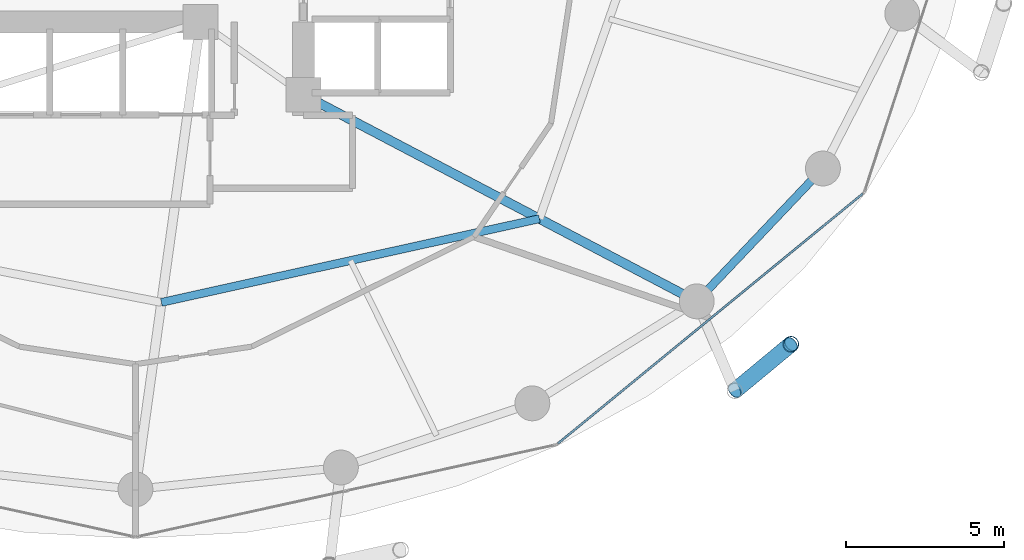
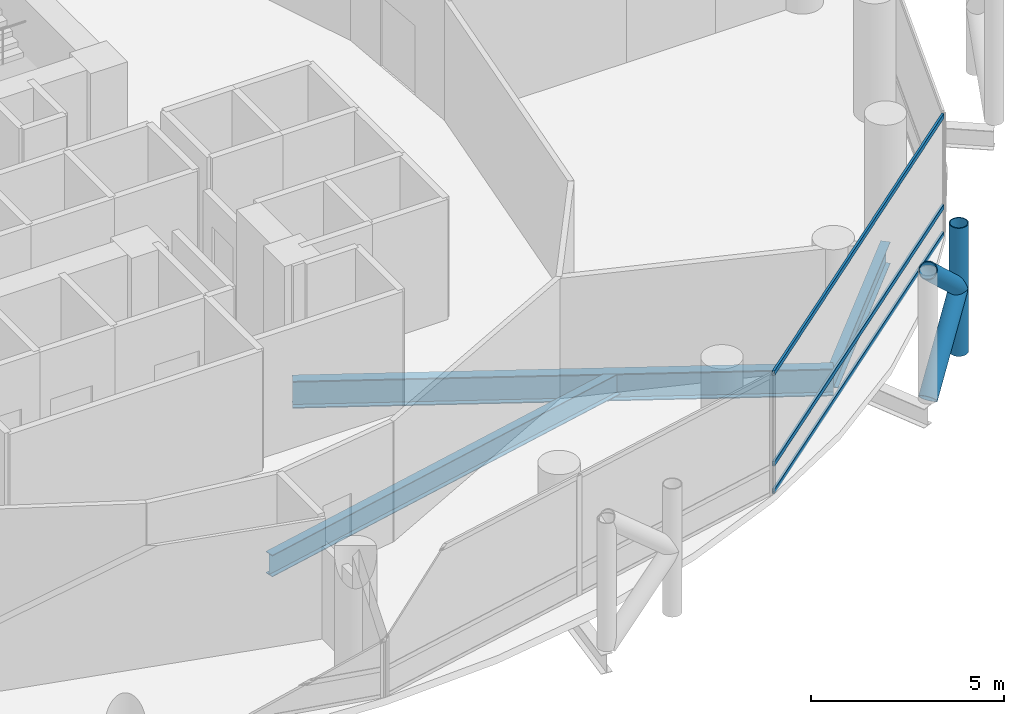
# One storey, part 9 of 24: 6 members, 3 beams, 1 element without a shape of its own.
"""IFC4 building model written with IfcOpenShell, lengths in metres."""

from ifc_helpers import new_model, si_unit, direction, frame, origin, origin_2d, place, context, subcontext, project, spatial, hollow_rectangle, hollow_circle, i_section, extrude, material, layer, layer_set, material_profile, profile_set, type_object, element, aggregate, save


model = new_model("IFC4")

# Units and contexts
model_context = context("Model", 3, precision=1e-05, world=origin(), true_north=direction((0.0, 1.0)))
body_context = subcontext(model_context, "Body", "Model", "MODEL_VIEW")
ifc_project = project(units=[si_unit("LENGTHUNIT", "METRE"), si_unit("AREAUNIT", "SQUARE_METRE"), si_unit("VOLUMEUNIT", "CUBIC_METRE"), si_unit("PLANEANGLEUNIT", "RADIAN"), si_unit("MASSUNIT", "GRAM", prefix="KILO")], contexts=[model_context])

# Site, building, storey
site_placement = place(None, origin())
site = spatial("IfcSite", under=ifc_project, at=site_placement, CompositionType="ELEMENT")
building_placement = place(site_placement, origin())
building = spatial("IfcBuilding", under=site, at=building_placement, Name="Nuhasar Tower", CompositionType="ELEMENT")
storey_placement = place(building_placement, frame((0.0, 0.0, 73.64990234375)))
storey = spatial("IfcBuildingStorey", under=building, at=storey_placement, Name="L17", CompositionType="ELEMENT", Elevation=73.64990234375)

# Beams
ifc_material_1 = material(Name="Steel S355", Category="steel")
ifc_material_profile_1 = material_profile(ifc_material_1, i_section(OverallWidth=0.25390625, OverallDepth=0.68408203125, WebThickness=0.012451171875, FlangeThickness=0.018798828125, at=origin_2d()), Name="W27X94")
ifc_profile_set_1 = profile_set([ifc_material_profile_1], Name="Steel S355")
beam_type_1 = type_object("IfcBeamType", Name="BM-INRING-W27X94", PredefinedType="BEAM", material=ifc_profile_set_1)
beam_1_placement = place(storey_placement, frame((39.820068359375, 12.449951171875, -0.591796875), z_axis=(0.976386023343, 0.216033176665, 0.0), x_axis=(-0.216033176665, 0.976386023343, 0.0)))
element("IfcBeam", 1, at=beam_1_placement, inside=storey, type_object=beam_type_1, Name="L17 Inner Header Beam 02", PredefinedType="BEAM", context=body_context, shape_type="SweptSolid", body=[
    extrude(i_section(OverallWidth=0.25390625, OverallDepth=0.68408203125, WebThickness=0.012451171875, FlangeThickness=0.018798828125, at=origin_2d()), origin(), (0.0, 0.0, 1.0), 12.216552734375),
])
ifc_material_profile_2 = material_profile(ifc_material_1, i_section(OverallWidth=0.2919921875, OverallDepth=0.85888671875, WebThickness=0.01708984375, FlangeThickness=0.031005859375, at=origin_2d()), Name="W33X169")
ifc_profile_set_2 = profile_set([ifc_material_profile_2], Name="Steel S355")
beam_type_2 = type_object("IfcBeamType", Name="BM-POD-W33X169", PredefinedType="BEAM", material=ifc_profile_set_2)
beam_2_placement = place(storey_placement, frame((44.300048828125, 19.0, -0.678955078125), z_axis=(0.885330348705, -0.464962550816, 0.0), x_axis=(0.464962550816, 0.885330348705, 0.0)))
element("IfcBeam", 2, at=beam_2_placement, inside=storey, type_object=beam_type_2, Name="L17 Radial Floor Girder 03", PredefinedType="BEAM", context=body_context, shape_type="SweptSolid", body=[
    extrude(i_section(OverallWidth=0.2919921875, OverallDepth=0.85888671875, WebThickness=0.01708984375, FlangeThickness=0.031005859375, at=origin_2d()), origin(), (0.0, 0.0, 1.0), 14.0205078125),
])
ifc_material_profile_3 = material_profile(ifc_material_1, i_section(OverallWidth=0.256103515625, OverallDepth=0.693115234375, WebThickness=0.014404296875, FlangeThickness=0.023681640625, at=origin_2d()), Name="W27X114")
ifc_profile_set_3 = profile_set([ifc_material_profile_3], Name="Steel S355")
beam_type_3 = type_object("IfcBeamType", Name="BM-RING-W27X114", PredefinedType="SPANDREL", material=ifc_profile_set_3)
beam_3_placement = place(storey_placement, frame((56.712890625, 12.48095703125, -0.596923828125), z_axis=(0.688459812429, 0.725274490569, 0.0), x_axis=(-0.725274490569, 0.688459812429, 0.0)))
element("IfcBeam", 3, at=beam_3_placement, inside=storey, type_object=beam_type_3, Name="L17 Perimeter Ring Spandrel 22", PredefinedType="SPANDREL", context=body_context, shape_type="SweptSolid", body=[
    extrude(i_section(OverallWidth=0.256103515625, OverallDepth=0.693115234375, WebThickness=0.014404296875, FlangeThickness=0.023681640625, at=origin_2d()), origin(), (0.0, 0.0, 1.0), 5.78271484375),
])

# Curtain wall, members
ifc_material_2 = material(Name="Aluminium 6063-T6", Category="aluminium")
ifc_layer = layer(ifc_material_2, 0.199951171875)
ifc_layer_set = layer_set([ifc_layer], Name="Aluminium 6063-T6")
curtain_wall_type = type_object("IfcCurtainWallType", Name="CW-Z1-OFF", PredefinedType="NOTDEFINED", material=ifc_layer_set)
curtain_wall_placement = place(storey_placement, origin())
curtain_wall = element("IfcCurtainWall", 4, at=curtain_wall_placement, inside=storey, type_object=curtain_wall_type, Name="L17 Unitised Curtain Wall 11", PredefinedType="NOTDEFINED")
ifc_material_profile_4 = material_profile(ifc_material_2, hollow_rectangle(XDim=0.06494140625, YDim=0.14990234375, WallThickness=0.00439453125, at=origin_2d()), Name="CWT-2")
ifc_profile_set_4 = profile_set([ifc_material_profile_4], Name="Aluminium 6063-T6")
member_type_1 = type_object("IfcMemberType", Name="CW-TRN-S2", PredefinedType="USERDEFINED", material=ifc_profile_set_4)
member_1_placement = place(storey_placement, frame((52.330322265625, 7.99609375, 0.03271484375), z_axis=(0.773531229158, 0.633758185365, 0.0), x_axis=(-0.633758185365, 0.773531229158, 0.0)))
member_1 = element("IfcMember", 5, at=member_1_placement, type_object=member_type_1, Name="CW-Z1 transom 1.1", ObjectType="TRANSOM", PredefinedType="USERDEFINED", context=body_context, shape_type="SweptSolid", body=[
    extrude(hollow_rectangle(XDim=0.06494140625, YDim=0.14990234375, WallThickness=0.00439453125, at=origin_2d()), origin(), (0.0, 0.0, 1.0), 12.438232421875),
])
member_2_placement = place(storey_placement, frame((52.330322265625, 7.99609375, 0.900146484375), z_axis=(0.773531229158, 0.633758185365, 0.0), x_axis=(-0.633758185365, 0.773531229158, 0.0)))
member_2 = element("IfcMember", 6, at=member_2_placement, type_object=member_type_1, Name="CW-Z1 transom 1.2", ObjectType="TRANSOM", PredefinedType="USERDEFINED", context=body_context, shape_type="SweptSolid", body=[
    extrude(hollow_rectangle(XDim=0.06494140625, YDim=0.14990234375, WallThickness=0.00439453125, at=origin_2d()), origin(), (0.0, 0.0, 1.0), 12.438232421875),
])
member_3_placement = place(storey_placement, frame((52.330322265625, 7.99609375, 3.767578125), z_axis=(0.773531229158, 0.633758185365, 0.0), x_axis=(-0.633758185365, 0.773531229158, 0.0)))
member_3 = element("IfcMember", 7, at=member_3_placement, type_object=member_type_1, Name="CW-Z1 transom 1.3", ObjectType="TRANSOM", PredefinedType="USERDEFINED", context=body_context, shape_type="SweptSolid", body=[
    extrude(hollow_rectangle(XDim=0.06494140625, YDim=0.14990234375, WallThickness=0.00439453125, at=origin_2d()), origin(), (0.0, 0.0, 1.0), 12.438232421875),
])
aggregate(curtain_wall, [member_1, member_2, member_3])

# Members
ifc_material_3 = material(Name="Steel S460", Category="steel")
ifc_material_profile_5 = material_profile(ifc_material_3, hollow_circle(Radius=0.25390625, WallThickness=0.025390625, at=origin_2d()), Name="HSS508X25.4")
ifc_profile_set_5 = profile_set([ifc_material_profile_5], Name="Steel S460")
member_type_2 = type_object("IfcMemberType", Name="EXO-BRONZE-508", PredefinedType="BRACE", material=ifc_profile_set_5)
member_4_placement = place(storey_placement, frame((59.68505859375, 11.12890625, 0.0), z_axis=(0.0, 0.0, 1.0), x_axis=(1.0, 0.0, 0.0)))
element("IfcMember", 8, at=member_4_placement, inside=storey, type_object=member_type_2, Name="L17 Exoskeleton Chord Column EC-11B", PredefinedType="BRACE", context=body_context, shape_type="SweptSolid", body=[
    extrude(hollow_circle(Radius=0.25390625, WallThickness=0.025390625, at=origin_2d()), origin(), (0.0, 0.0, 1.0), 4.050048828125),
])
member_5_placement = place(storey_placement, frame((57.9130859375, 9.660888671875, 0.0), z_axis=(0.578071194894, 0.478911834514, 0.660664172175), x_axis=(-0.637969333506, 0.770061769929, 0.0)))
element("IfcMember", 9, at=member_5_placement, inside=storey, type_object=member_type_2, Name="L17 Bronze Diagrid Brace W1-11", PredefinedType="BRACE", context=body_context, shape_type="SweptSolid", body=[
    extrude(hollow_circle(Radius=0.25390625, WallThickness=0.025390625, at=origin_2d()), origin(), (0.0, 0.0, 1.0), 3.0654296875),
])
member_6_placement = place(storey_placement, frame((59.68505859375, 11.12890625, 2.025146484375), z_axis=(-0.578101613167, -0.478937034992, 0.660619286251), x_axis=(0.637969333506, -0.770061769929, 0.0)))
element("IfcMember", 10, at=member_6_placement, inside=storey, type_object=member_type_2, Name="L17 Bronze Diagrid Brace W2-11", PredefinedType="BRACE", context=body_context, shape_type="SweptSolid", body=[
    extrude(hollow_circle(Radius=0.25390625, WallThickness=0.025390625, at=origin_2d()), origin(), (0.0, 0.0, 1.0), 3.065185546875),
])

save(model, "model.ifc")
